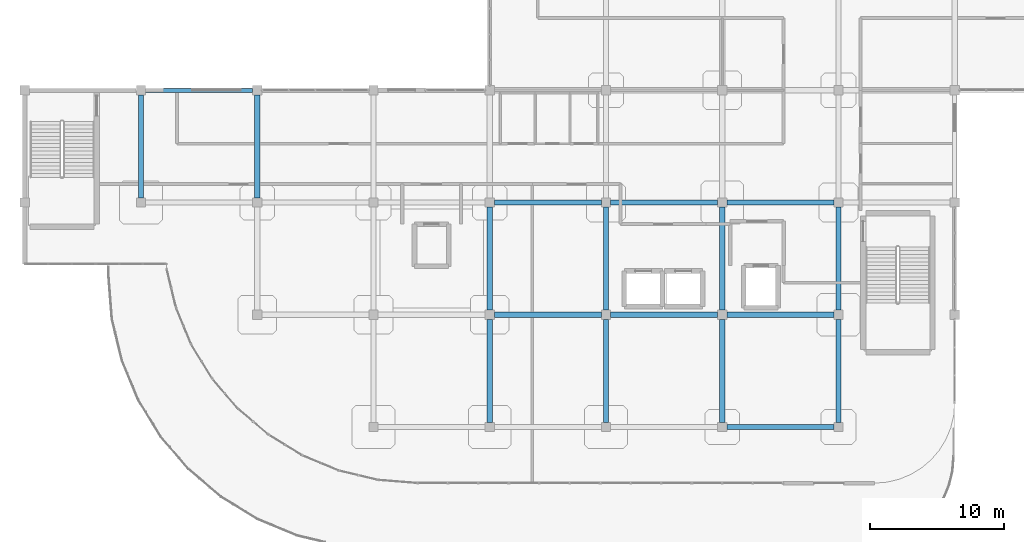
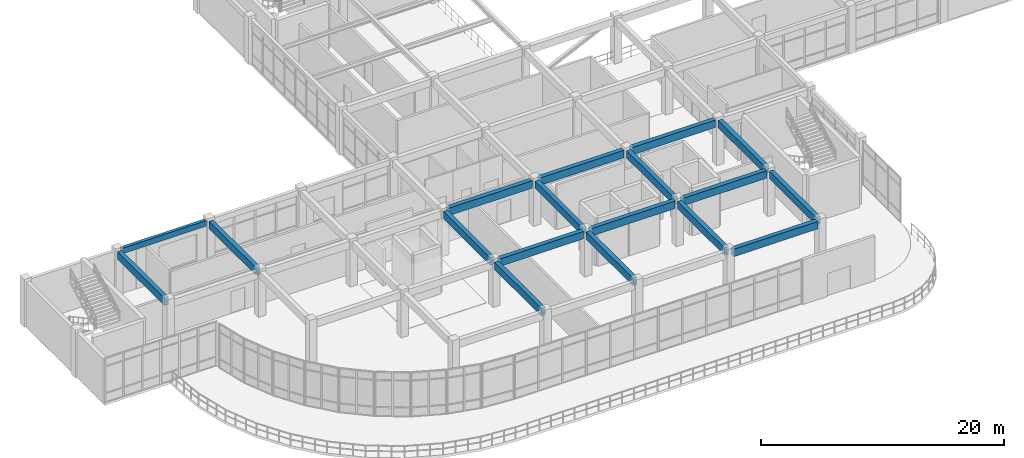
# One storey, part 9 of 76: 18 beams.
"""IFC4 building model written with IfcOpenShell, lengths in metres."""

from ifc_helpers import new_model, si_unit, derived_unit, direction, frame, origin, origin_2d, place, context, subcontext, project, spatial, rectangle, extrude, material, material_profile, profile_set, type_object, element, save


model = new_model("IFC4")

# Units and contexts
model_context = context("Model", 3, precision=1e-05, world=origin(), true_north=direction((0.0, 1.0)))
body_context = subcontext(model_context, "Body", "Model", "MODEL_VIEW")
ifc_project = project(units=[si_unit("LENGTHUNIT", "METRE"), si_unit("AREAUNIT", "SQUARE_METRE"), si_unit("VOLUMEUNIT", "CUBIC_METRE"), si_unit("PLANEANGLEUNIT", "RADIAN"), si_unit("MASSUNIT", "GRAM", prefix="KILO"), derived_unit("THERMALTRANSMITTANCEUNIT", [(si_unit("MASSUNIT", "GRAM", prefix="KILO"), 1), (si_unit("TIMEUNIT", "SECOND"), -3), (si_unit("THERMODYNAMICTEMPERATUREUNIT", "KELVIN"), -1)])], contexts=[model_context])

# Site, building, storey
site_placement = place(None, origin())
site = spatial("IfcSite", under=ifc_project, at=site_placement, CompositionType="ELEMENT")
building_placement = place(site_placement, origin())
building = spatial("IfcBuilding", under=site, at=building_placement, Name="Qinzheling Arcade Emporium", CompositionType="ELEMENT")
storey_placement = place(building_placement, frame((0.0, 0.0, 26.699951171875)))
storey = spatial("IfcBuildingStorey", under=building, at=storey_placement, Name="L06", CompositionType="ELEMENT", Elevation=26.699951171875)

# Beams
ifc_material = material(Name="Concrete C40", Category="concrete")
ifc_material_profile_1 = material_profile(ifc_material, rectangle(XDim=0.39990234375, YDim=0.75, at=origin_2d()), Name="RC 400x750", Category="concrete")
ifc_profile_set_1 = profile_set([ifc_material_profile_1], Name="Concrete C40")
beam_type_1 = type_object("IfcBeamType", Name="RC Interior Tie Beam 400x750 C40", PredefinedType="BEAM", material=ifc_profile_set_1)
for number, where, z_axis, x_axis, name in (
    (1, (52.550048828125, 16.800048828125, 4.14501953125), (1.0, 0.0, 0.0), (0.0, 1.0, 0.0), "Beam BM-L06-X-C-7"),
    (2, (35.14990234375, 25.199951171875, 4.14501953125), (1.0, 0.0, 0.0), (0.0, 1.0, 0.0), "Beam BM-L06-X-D-5"),
    (3, (43.85009765625, 25.199951171875, 4.14501953125), (1.0, 0.0, 0.0), (0.0, 1.0, 0.0), "Beam BM-L06-X-D-6"),
    (4, (52.550048828125, 25.199951171875, 4.14501953125), (1.0, 0.0, 0.0), (0.0, 1.0, 0.0), "Beam BM-L06-X-D-7"),
    (5, (35.14990234375, 33.60009765625, 4.14501953125), (1.0, 0.0, 0.0), (0.0, 1.0, 0.0), "Beam BM-L06-X-E-5"),
    (6, (43.85009765625, 33.60009765625, 4.14501953125), (1.0, 0.0, 0.0), (0.0, 1.0, 0.0), "Beam BM-L06-X-E-6"),
    (7, (52.550048828125, 33.60009765625, 4.14501953125), (1.0, 0.0, 0.0), (0.0, 1.0, 0.0), "Beam BM-L06-X-E-7"),
):
    element("IfcBeam", number, at=place(storey_placement, frame(where, z_axis=z_axis, x_axis=x_axis)), inside=storey, type_object=beam_type_1, Name=name, PredefinedType="BEAM", context=body_context, shape_type="SweptSolid", body=[
        extrude(rectangle(XDim=0.39990234375, YDim=0.75, at=origin_2d()), origin(), (0.0, 0.0, 1.0), 8.0),
    ])
for number, where, z_axis, x_axis, name in (
    (8, (8.699951171875, 33.949951171875, 4.14501953125), (0.0, 1.0, 0.0), (-1.0, 0.0, 0.0), "Beam BM-L06-Y-2-E"),
    (9, (17.39990234375, 33.949951171875, 4.14501953125), (0.0, 1.0, 0.0), (-1.0, 0.0, 0.0), "Beam BM-L06-Y-3-E"),
):
    element("IfcBeam", number, at=place(storey_placement, frame(where, z_axis=z_axis, x_axis=x_axis)), inside=storey, type_object=beam_type_1, Name=name, PredefinedType="BEAM", context=body_context, shape_type="SweptSolid", body=[
        extrude(rectangle(XDim=0.39990234375, YDim=0.75, at=origin_2d()), origin(), (0.0, 0.0, 1.0), 7.699951171875),
    ])
beam_1_placement = place(storey_placement, frame((34.800048828125, 17.14990234375, 4.14501953125), z_axis=(0.0, 1.0, 0.0), x_axis=(-1.0, 0.0, 0.0)))
element("IfcBeam", 10, at=beam_1_placement, inside=storey, type_object=beam_type_1, Name="Beam BM-L06-Y-5-C", PredefinedType="BEAM", context=body_context, shape_type="SweptSolid", body=[
    extrude(rectangle(XDim=0.39990234375, YDim=0.75, at=origin_2d()), origin(), (0.0, 0.0, 1.0), 7.7001953125),
])
beam_2_placement = place(storey_placement, frame((34.800048828125, 25.550048828125, 4.14501953125), z_axis=(0.0, 1.0, 0.0), x_axis=(-1.0, 0.0, 0.0)))
element("IfcBeam", 11, at=beam_2_placement, inside=storey, type_object=beam_type_1, Name="Beam BM-L06-Y-5-D", PredefinedType="BEAM", context=body_context, shape_type="SweptSolid", body=[
    extrude(rectangle(XDim=0.39990234375, YDim=0.75, at=origin_2d()), origin(), (0.0, 0.0, 1.0), 7.699951171875),
])
beam_3_placement = place(storey_placement, frame((43.5, 17.14990234375, 4.14501953125), z_axis=(0.0, 1.0, 0.0), x_axis=(-1.0, 0.0, 0.0)))
element("IfcBeam", 12, at=beam_3_placement, inside=storey, type_object=beam_type_1, Name="Beam BM-L06-Y-6-C", PredefinedType="BEAM", context=body_context, shape_type="SweptSolid", body=[
    extrude(rectangle(XDim=0.39990234375, YDim=0.75, at=origin_2d()), origin(), (0.0, 0.0, 1.0), 7.7001953125),
])
beam_4_placement = place(storey_placement, frame((43.5, 25.550048828125, 4.14501953125), z_axis=(0.0, 1.0, 0.0), x_axis=(-1.0, 0.0, 0.0)))
element("IfcBeam", 13, at=beam_4_placement, inside=storey, type_object=beam_type_1, Name="Beam BM-L06-Y-6-D", PredefinedType="BEAM", context=body_context, shape_type="SweptSolid", body=[
    extrude(rectangle(XDim=0.39990234375, YDim=0.75, at=origin_2d()), origin(), (0.0, 0.0, 1.0), 7.699951171875),
])
beam_5_placement = place(storey_placement, frame((52.199951171875, 17.14990234375, 4.14501953125), z_axis=(0.0, 1.0, 0.0), x_axis=(-1.0, 0.0, 0.0)))
element("IfcBeam", 14, at=beam_5_placement, inside=storey, type_object=beam_type_1, Name="Beam BM-L06-Y-7-C", PredefinedType="BEAM", context=body_context, shape_type="SweptSolid", body=[
    extrude(rectangle(XDim=0.39990234375, YDim=0.75, at=origin_2d()), origin(), (0.0, 0.0, 1.0), 7.7001953125),
])
beam_6_placement = place(storey_placement, frame((52.199951171875, 25.550048828125, 4.14501953125), z_axis=(0.0, 1.0, 0.0), x_axis=(-1.0, 0.0, 0.0)))
element("IfcBeam", 15, at=beam_6_placement, inside=storey, type_object=beam_type_1, Name="Beam BM-L06-Y-7-D", PredefinedType="BEAM", context=body_context, shape_type="SweptSolid", body=[
    extrude(rectangle(XDim=0.39990234375, YDim=0.75, at=origin_2d()), origin(), (0.0, 0.0, 1.0), 7.699951171875),
])
beam_7_placement = place(storey_placement, frame((60.89990234375, 17.14990234375, 4.14501953125), z_axis=(0.0, 1.0, 0.0), x_axis=(-1.0, 0.0, 0.0)))
element("IfcBeam", 16, at=beam_7_placement, inside=storey, type_object=beam_type_1, Name="Beam BM-L06-Y-8-C", PredefinedType="BEAM", context=body_context, shape_type="SweptSolid", body=[
    extrude(rectangle(XDim=0.39990234375, YDim=0.75, at=origin_2d()), origin(), (0.0, 0.0, 1.0), 7.7001953125),
])
beam_8_placement = place(storey_placement, frame((60.89990234375, 25.550048828125, 4.14501953125), z_axis=(0.0, 1.0, 0.0), x_axis=(-1.0, 0.0, 0.0)))
element("IfcBeam", 17, at=beam_8_placement, inside=storey, type_object=beam_type_1, Name="Beam BM-L06-Y-8-D", PredefinedType="BEAM", context=body_context, shape_type="SweptSolid", body=[
    extrude(rectangle(XDim=0.39990234375, YDim=0.75, at=origin_2d()), origin(), (0.0, 0.0, 1.0), 7.699951171875),
])
ifc_material_profile_2 = material_profile(ifc_material, rectangle(XDim=0.300048828125, YDim=0.550048828125, at=origin_2d()), Name="RC 300x550", Category="concrete")
ifc_profile_set_2 = profile_set([ifc_material_profile_2], Name="Concrete C40")
beam_type_2 = type_object("IfcBeamType", Name="RC Terrace Spandrel Beam 300x550 C40", PredefinedType="SPANDREL", material=ifc_profile_set_2)
beam_9_placement = place(storey_placement, frame((9.050048828125, 42.0, 4.2451171875), z_axis=(1.0, 0.0, 0.0), x_axis=(0.0, 1.0, 0.0)))
element("IfcBeam", 18, at=beam_9_placement, inside=storey, type_object=beam_type_2, Name="Beam BM-L06-X-F-2", PredefinedType="SPANDREL", context=body_context, shape_type="SweptSolid", body=[
    extrude(rectangle(XDim=0.300048828125, YDim=0.550048828125, at=origin_2d()), origin(), (0.0, 0.0, 1.0), 8.0),
])

save(model, "model.ifc")
